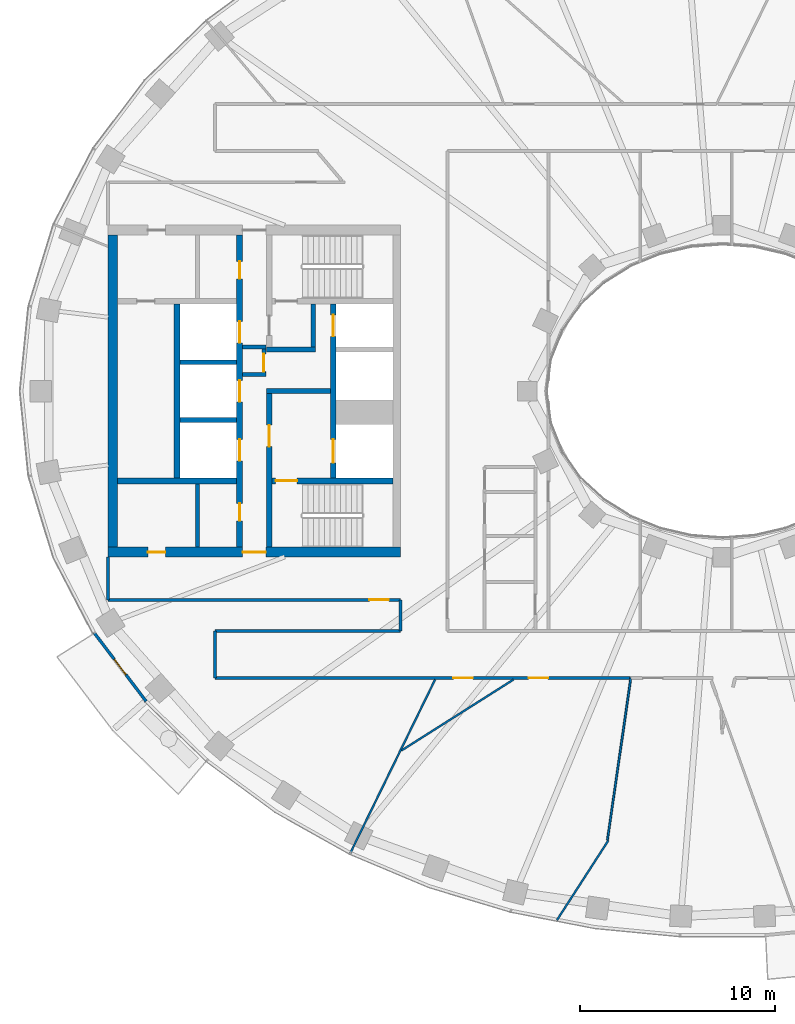
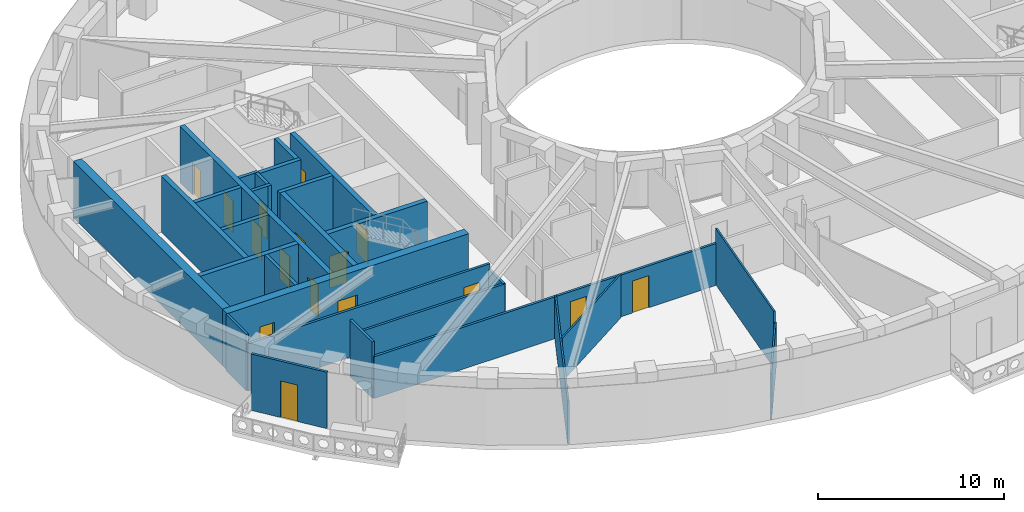
# One storey, part 3 of 16: 28 walls, 16 doors, 16 openings.
"""IFC4 building model written with IfcOpenShell, lengths in metres."""

from ifc_helpers import new_model, si_unit, direction, frame, frame_2d, origin, place, context, subcontext, project, spatial, rectangle, extrude, material, layer, layer_set, type_object, element, fill, save


model = new_model("IFC4")

# Units and contexts
model_context = context("Model", 3, precision=1e-05, world=origin(), true_north=direction((0.0, 1.0)))
body_context = subcontext(model_context, "Body", "Model", "MODEL_VIEW")
ifc_project = project(units=[si_unit("LENGTHUNIT", "METRE"), si_unit("AREAUNIT", "SQUARE_METRE"), si_unit("VOLUMEUNIT", "CUBIC_METRE"), si_unit("PLANEANGLEUNIT", "RADIAN"), si_unit("MASSUNIT", "GRAM", prefix="KILO")], contexts=[model_context])

# Site, building, storey
site_placement = place(None, origin())
site = spatial("IfcSite", under=ifc_project, at=site_placement, CompositionType="ELEMENT")
building_placement = place(site_placement, origin())
building = spatial("IfcBuilding", under=site, at=building_placement, Name="Noorbagh Ring Tower", CompositionType="ELEMENT")
storey_placement = place(building_placement, frame((0.0, 0.0, 245.5)))
storey = spatial("IfcBuildingStorey", under=building, at=storey_placement, Name="L51", CompositionType="ELEMENT", Elevation=245.5)

# Walls
ifc_material_1 = material(Name="Gypsum board on steel studs", Category="steel")
ifc_layer_1 = layer(ifc_material_1, 0.199951171875)
ifc_layer_set_1 = layer_set([ifc_layer_1], Name="Gypsum board on steel studs")
wall_type_1 = type_object("IfcWallType", Name="CORE-PARTITION-200", PredefinedType="PARTITIONING", material=ifc_layer_set_1)
for number, where, z_axis, x_axis, name in (
    (1, (-23.39990234375, 0.85009765625, 0.0), (0.0, 0.0, 1.0), (-1.0, 0.0, 0.0), "Core partition W"),
    (2, (-23.39990234375, 2.25, 0.0), (0.0, 0.0, 1.0), (-1.0, 0.0, 0.0), "Core partition W"),
):
    element("IfcWall", number, at=place(storey_placement, frame(where, z_axis=z_axis, x_axis=x_axis)), inside=storey, type_object=wall_type_1, Name=name, PredefinedType="PARTITIONING", context=body_context, shape_type="SweptSolid", body=[
        extrude(rectangle(XDim=1.2001953125, YDim=0.199951171875, at=frame_2d((0.60009765625, 0.0))), origin(), (0.0, 0.0, 1.0), 3.699951171875),
    ])

# Wall, opening, door
wall_1_placement = place(storey_placement, frame((-23.5, 0.75, 0.0), z_axis=(0.0, 0.0, 1.0), x_axis=(0.0, 1.0, 0.0)))
wall_1 = element("IfcWall", 3, at=wall_1_placement, inside=storey, type_object=wall_type_1, Name="Core partition W", PredefinedType="PARTITIONING", context=body_context, shape_type="SweptSolid", body=[
    extrude(rectangle(XDim=1.60009765625, YDim=0.199951171875, at=frame_2d((0.800048828125, 0.0))), origin(), (0.0, 0.0, 1.0), 3.699951171875),
])
opening_1_placement = place(wall_1_placement, frame((0.25, 0.0, 0.0)))
opening_1 = element("IfcOpeningElement", 4, at=opening_1_placement, cuts=wall_1, Name="Opening L51-CW16", PredefinedType="OPENING", context=body_context, shape_type="SweptSolid", body=[
    extrude(rectangle(XDim=0.89990234375, YDim=2.10009765625, at=frame_2d((0.449951171875, 1.050048828125))), frame((0.0, 0.10986328125, 0.0), z_axis=(0.0, -1.0, 0.0), x_axis=(1.0, 0.0, 0.0)), (0.0, 0.0, 1.0), 0.219970703125),
])
ifc_material_2 = material(Name="Steel door leaf", Category="steel")
door_type_1 = type_object("IfcDoorType", Name="CORE-DOOR-DROOM", OperationType="SINGLE_SWING_LEFT", PredefinedType="DOOR", material=ifc_material_2)
door_1_placement = place(opening_1_placement, origin())
door_1 = element("IfcDoor", 5, at=door_1_placement, inside=storey, type_object=door_type_1, Name="Core room door L51-CW16", OperationType="SINGLE_SWING_RIGHT", OverallHeight=2.10009765625, OverallWidth=0.89990234375, PredefinedType="DOOR", context=body_context, shape_type="SweptSolid", body=[
    extrude(rectangle(XDim=0.89990234375, YDim=2.10009765625, at=frame_2d((0.449951171875, 1.050048828125))), frame((0.0, 0.02490234375, 0.0), z_axis=(0.0, -1.0, 0.0), x_axis=(1.0, 0.0, 0.0)), (0.0, 0.0, 1.0), 0.050048828125),
])
fill(opening_1, door_1)

# Walls
wall_2_placement = place(storey_placement, frame((-26.89990234375, -8.0, 0.0), z_axis=(0.0, 0.0, 1.0), x_axis=(0.0, 1.0, 0.0)))
element("IfcWall", 6, at=wall_2_placement, inside=storey, type_object=wall_type_1, Name="Core partition W", PredefinedType="PARTITIONING", context=body_context, shape_type="SweptSolid", body=[
    extrude(rectangle(XDim=3.25, YDim=0.199951171875, at=frame_2d((1.625, 0.0))), origin(), (0.0, 0.0, 1.0), 3.699951171875),
])
ifc_material_3 = material(Name="Concrete C60/75", Category="concrete")
ifc_layer_2 = layer(ifc_material_3, 0.25)
ifc_layer_set_2 = layer_set([ifc_layer_2], Name="Concrete C60/75")
wall_type_2 = type_object("IfcWallType", Name="CORE-WALL-250-C60-75-EI120", PredefinedType="SHEAR", material=ifc_layer_set_2)
for number, where, z_axis, x_axis, name in (
    (7, (-24.89990234375, -1.47509765625, 0.0), (0.0, 0.0, 1.0), (-1.0, 0.0, 0.0), "Core wall W"),
    (8, (-24.89990234375, 1.47509765625, 0.0), (0.0, 0.0, 1.0), (-1.0, 0.0, 0.0), "Core wall W"),
):
    element("IfcWall", number, at=place(storey_placement, frame(where, z_axis=z_axis, x_axis=x_axis)), inside=storey, type_object=wall_type_2, Name=name, PredefinedType="SHEAR", context=body_context, shape_type="SweptSolid", body=[
        extrude(rectangle(XDim=2.900146484375, YDim=0.25, at=frame_2d((1.4501953125, 0.0))), origin(), (0.0, 0.0, 1.0), 3.699951171875),
    ])
ifc_material_4 = material(Name="Concrete C60/75", Category="concrete")
ifc_layer_3 = layer(ifc_material_4, 0.25)
ifc_layer_set_3 = layer_set([ifc_layer_3], Name="Concrete C60/75")
wall_type_3 = type_object("IfcWallType", Name="CORE-WALL-250-C60-75-EI240", PredefinedType="SHEAR", material=ifc_layer_set_3)
wall_3_placement = place(storey_placement, frame((-20.10009765625, 0.0, 0.0), z_axis=(0.0, 0.0, 1.0), x_axis=(-1.0, 0.0, 0.0)))
element("IfcWall", 9, at=wall_3_placement, inside=storey, type_object=wall_type_3, Name="Core wall W", PredefinedType="SHEAR", context=body_context, shape_type="SweptSolid", body=[
    extrude(rectangle(XDim=3.27978515625, YDim=0.25, at=frame_2d((1.639892578125, 0.0))), origin(), (0.0, 0.0, 1.0), 3.699951171875),
])
wall_4_placement = place(storey_placement, frame((-20.85009765625, 2.125, 0.0), z_axis=(0.0, 0.0, 1.0), x_axis=(-1.0, 0.0, 0.0)))
element("IfcWall", 10, at=wall_4_placement, inside=storey, type_object=wall_type_3, Name="Core wall W", PredefinedType="SHEAR", context=body_context, shape_type="SweptSolid", body=[
    extrude(rectangle(XDim=2.52978515625, YDim=0.25, at=frame_2d((1.264892578125, 0.0))), origin(), (0.0, 0.0, 1.0), 3.699951171875),
])
wall_5_placement = place(storey_placement, frame((-20.97509765625, 2.25, 0.0), z_axis=(0.0, 0.0, 1.0), x_axis=(0.0, 1.0, 0.0)))
element("IfcWall", 11, at=wall_5_placement, inside=storey, type_object=wall_type_3, Name="Core wall W", PredefinedType="SHEAR", context=body_context, shape_type="SweptSolid", body=[
    extrude(rectangle(XDim=2.199951171875, YDim=0.25, at=frame_2d((1.10009765625, 0.0))), origin(), (0.0, 0.0, 1.0), 3.699951171875),
])
ifc_material_5 = material(Name="Concrete C60/75", Category="concrete")
ifc_layer_4 = layer(ifc_material_5, 0.300048828125)
ifc_layer_set_4 = layer_set([ifc_layer_4], Name="Concrete C60/75")
wall_type_4 = type_object("IfcWallType", Name="CORE-WALL-300-C60-75-EI120", PredefinedType="SHEAR", material=ifc_layer_set_4)
wall_6_placement = place(storey_placement, frame((-27.949951171875, -4.449951171875, 0.0), z_axis=(0.0, 0.0, 1.0), x_axis=(0.0, 1.0, 0.0)))
element("IfcWall", 12, at=wall_6_placement, inside=storey, type_object=wall_type_4, Name="Core wall W", PredefinedType="SHEAR", context=body_context, shape_type="SweptSolid", body=[
    extrude(rectangle(XDim=8.89990234375, YDim=0.300048828125, at=frame_2d((4.449951171875, 0.0))), origin(), (0.0, 0.0, 1.0), 3.699951171875),
])

# Wall, openings, doors
wall_7_placement = place(storey_placement, frame((-19.949951171875, -4.449951171875, 0.0), z_axis=(0.0, 0.0, 1.0), x_axis=(0.0, 1.0, 0.0)))
wall_7 = element("IfcWall", 13, at=wall_7_placement, inside=storey, type_object=wall_type_4, Name="Core wall W", PredefinedType="SHEAR", context=body_context, shape_type="SweptSolid", body=[
    extrude(rectangle(XDim=8.89990234375, YDim=0.300048828125, at=frame_2d((4.449951171875, 0.0))), origin(), (0.0, 0.0, 1.0), 3.699951171875),
])
opening_2_placement = place(wall_7_placement, frame((0.77490234375, 0.0, 0.0)))
opening_2 = element("IfcOpeningElement", 14, at=opening_2_placement, cuts=wall_7, Name="Opening L51-CW01", PredefinedType="OPENING", context=body_context, shape_type="SweptSolid", body=[
    extrude(rectangle(XDim=1.199951171875, YDim=2.10009765625, at=frame_2d((0.60009765625, 1.050048828125))), frame((0.0, 0.16015625, 0.0), z_axis=(0.0, -1.0, 0.0), x_axis=(1.0, 0.0, 0.0)), (0.0, 0.0, 1.0), 0.320068359375),
])
opening_3_placement = place(wall_7_placement, frame((7.25, 0.0, 0.0)))
opening_3 = element("IfcOpeningElement", 15, at=opening_3_placement, cuts=wall_7, Name="Opening L51-CW02", PredefinedType="OPENING", context=body_context, shape_type="SweptSolid", body=[
    extrude(rectangle(XDim=1.10009765625, YDim=2.10009765625, at=frame_2d((0.550048828125, 1.050048828125))), frame((0.0, 0.16015625, 0.0), z_axis=(0.0, -1.0, 0.0), x_axis=(1.0, 0.0, 0.0)), (0.0, 0.0, 1.0), 0.320068359375),
])
ifc_material_6 = material(Name="Steel door leaf", Category="steel")
door_type_2 = type_object("IfcDoorType", Name="CORE-DOOR-LD", OperationType="DOUBLE_DOOR_SLIDING", PredefinedType="DOOR", material=ifc_material_6)
door_2_placement = place(opening_3_placement, origin())
door_2 = element("IfcDoor", 16, at=door_2_placement, inside=storey, type_object=door_type_2, Name="Landing door HR1 L51-CW02", OperationType="DOUBLE_DOOR_SLIDING", OverallHeight=2.10009765625, OverallWidth=1.10009765625, PredefinedType="DOOR", context=body_context, shape_type="SweptSolid", body=[
    extrude(rectangle(XDim=1.10009765625, YDim=2.10009765625, at=frame_2d((0.550048828125, 1.050048828125))), frame((0.0, 0.02490234375, 0.0), z_axis=(0.0, -1.0, 0.0), x_axis=(1.0, 0.0, 0.0)), (0.0, 0.0, 1.0), 0.050048828125),
])
fill(opening_3, door_2)
ifc_material_7 = material(Name="Steel door leaf", Category="steel")
door_type_3 = type_object("IfcDoorType", Name="CORE-DOOR-LDW", OperationType="DOUBLE_DOOR_SLIDING", PredefinedType="DOOR", material=ifc_material_7)
door_3_placement = place(opening_2_placement, origin())
door_3 = element("IfcDoor", 17, at=door_3_placement, inside=storey, type_object=door_type_3, Name="Landing door FF1 L51-CW01", OperationType="DOUBLE_DOOR_SLIDING", OverallHeight=2.10009765625, OverallWidth=1.199951171875, PredefinedType="DOOR", context=body_context, shape_type="SweptSolid", body=[
    extrude(rectangle(XDim=1.199951171875, YDim=2.10009765625, at=frame_2d((0.60009765625, 1.050048828125))), frame((0.0, 0.02490234375, 0.0), z_axis=(0.0, -1.0, 0.0), x_axis=(1.0, 0.0, 0.0)), (0.0, 0.0, 1.0), 0.050048828125),
])
fill(opening_2, door_3)

wall_8_placement = place(storey_placement, frame((-24.75, -8.0, 0.0), z_axis=(0.0, 0.0, 1.0), x_axis=(0.0, 1.0, 0.0)))
wall_8 = element("IfcWall", 18, at=wall_8_placement, inside=storey, type_object=wall_type_4, Name="Core wall W", PredefinedType="SHEAR", context=body_context, shape_type="SweptSolid", body=[
    extrude(rectangle(XDim=16.0, YDim=0.300048828125, at=frame_2d((8.0, 0.0))), origin(), (0.0, 0.0, 1.0), 3.699951171875),
])
opening_4_placement = place(wall_8_placement, frame((4.425048828125, 0.0, 0.0)))
opening_4 = element("IfcOpeningElement", 19, at=opening_4_placement, cuts=wall_8, Name="Opening L51-CW03", PredefinedType="OPENING", context=body_context, shape_type="SweptSolid", body=[
    extrude(rectangle(XDim=1.10009765625, YDim=2.10009765625, at=frame_2d((0.550048828125, 1.050048828125))), frame((0.0, 0.16015625, 0.0), z_axis=(0.0, -1.0, 0.0), x_axis=(1.0, 0.0, 0.0)), (0.0, 0.0, 1.0), 0.320068359375),
])
opening_5_placement = place(wall_8_placement, frame((7.449951171875, 0.0, 0.0)))
opening_5 = element("IfcOpeningElement", 20, at=opening_5_placement, cuts=wall_8, Name="Opening L51-CW04", PredefinedType="OPENING", context=body_context, shape_type="SweptSolid", body=[
    extrude(rectangle(XDim=1.10009765625, YDim=2.10009765625, at=frame_2d((0.550048828125, 1.050048828125))), frame((0.0, 0.16015625, 0.0), z_axis=(0.0, -1.0, 0.0), x_axis=(1.0, 0.0, 0.0)), (0.0, 0.0, 1.0), 0.320068359375),
])
opening_6_placement = place(wall_8_placement, frame((10.47509765625, 0.0, 0.0)))
opening_6 = element("IfcOpeningElement", 21, at=opening_6_placement, cuts=wall_8, Name="Opening L51-CW05", PredefinedType="OPENING", context=body_context, shape_type="SweptSolid", body=[
    extrude(rectangle(XDim=1.10009765625, YDim=2.10009765625, at=frame_2d((0.550048828125, 1.050048828125))), frame((0.0, 0.16015625, 0.0), z_axis=(0.0, -1.0, 0.0), x_axis=(1.0, 0.0, 0.0)), (0.0, 0.0, 1.0), 0.320068359375),
])
opening_7_placement = place(wall_8_placement, frame((13.75, 0.0, 0.0)))
opening_7 = element("IfcOpeningElement", 22, at=opening_7_placement, cuts=wall_8, Name="Opening L51-CW12", PredefinedType="OPENING", context=body_context, shape_type="SweptSolid", body=[
    extrude(rectangle(XDim=0.89990234375, YDim=2.10009765625, at=frame_2d((0.449951171875, 1.050048828125))), frame((0.0, 0.16015625, 0.0), z_axis=(0.0, -1.0, 0.0), x_axis=(1.0, 0.0, 0.0)), (0.0, 0.0, 1.0), 0.320068359375),
])
opening_8_placement = place(wall_8_placement, frame((1.35009765625, 0.0, 0.0)))
opening_8 = element("IfcOpeningElement", 23, at=opening_8_placement, cuts=wall_8, Name="Opening L51-CW14", PredefinedType="OPENING", context=body_context, shape_type="SweptSolid", body=[
    extrude(rectangle(XDim=0.89990234375, YDim=2.10009765625, at=frame_2d((0.449951171875, 1.050048828125))), frame((0.0, 0.16015625, 0.0), z_axis=(0.0, -1.0, 0.0), x_axis=(1.0, 0.0, 0.0)), (0.0, 0.0, 1.0), 0.320068359375),
])
door_4_placement = place(opening_7_placement, origin())
door_4 = element("IfcDoor", 24, at=door_4_placement, inside=storey, type_object=door_type_1, Name="Core room door L51-CW12", OperationType="SINGLE_SWING_RIGHT", OverallHeight=2.10009765625, OverallWidth=0.89990234375, PredefinedType="DOOR", context=body_context, shape_type="SweptSolid", body=[
    extrude(rectangle(XDim=0.89990234375, YDim=2.10009765625, at=frame_2d((0.449951171875, 1.050048828125))), frame((0.0, 0.02490234375, 0.0), z_axis=(0.0, -1.0, 0.0), x_axis=(1.0, 0.0, 0.0)), (0.0, 0.0, 1.0), 0.050048828125),
])
fill(opening_7, door_4)
door_5_placement = place(opening_8_placement, origin())
door_5 = element("IfcDoor", 25, at=door_5_placement, inside=storey, type_object=door_type_1, Name="Core room door L51-CW14", OperationType="SINGLE_SWING_LEFT", OverallHeight=2.10009765625, OverallWidth=0.89990234375, PredefinedType="DOOR", context=body_context, shape_type="SweptSolid", body=[
    extrude(rectangle(XDim=0.89990234375, YDim=2.10009765625, at=frame_2d((0.449951171875, 1.050048828125))), frame((0.0, 0.02490234375, 0.0), z_axis=(0.0, -1.0, 0.0), x_axis=(1.0, 0.0, 0.0)), (0.0, 0.0, 1.0), 0.050048828125),
])
fill(opening_8, door_5)
door_6_placement = place(opening_4_placement, origin())
door_6 = element("IfcDoor", 26, at=door_6_placement, inside=storey, type_object=door_type_2, Name="Landing door HR2 L51-CW03", OperationType="DOUBLE_DOOR_SLIDING", OverallHeight=2.10009765625, OverallWidth=1.10009765625, PredefinedType="DOOR", context=body_context, shape_type="SweptSolid", body=[
    extrude(rectangle(XDim=1.10009765625, YDim=2.10009765625, at=frame_2d((0.550048828125, 1.050048828125))), frame((0.0, 0.02490234375, 0.0), z_axis=(0.0, -1.0, 0.0), x_axis=(1.0, 0.0, 0.0)), (0.0, 0.0, 1.0), 0.050048828125),
])
fill(opening_4, door_6)
door_7_placement = place(opening_5_placement, origin())
door_7 = element("IfcDoor", 27, at=door_7_placement, inside=storey, type_object=door_type_2, Name="Landing door HR3 L51-CW04", OperationType="DOUBLE_DOOR_SLIDING", OverallHeight=2.10009765625, OverallWidth=1.10009765625, PredefinedType="DOOR", context=body_context, shape_type="SweptSolid", body=[
    extrude(rectangle(XDim=1.10009765625, YDim=2.10009765625, at=frame_2d((0.550048828125, 1.050048828125))), frame((0.0, 0.02490234375, 0.0), z_axis=(0.0, -1.0, 0.0), x_axis=(1.0, 0.0, 0.0)), (0.0, 0.0, 1.0), 0.050048828125),
])
fill(opening_5, door_7)
door_8_placement = place(opening_6_placement, origin())
door_8 = element("IfcDoor", 28, at=door_8_placement, inside=storey, type_object=door_type_2, Name="Landing door HR4 L51-CW05", OperationType="DOUBLE_DOOR_SLIDING", OverallHeight=2.10009765625, OverallWidth=1.10009765625, PredefinedType="DOOR", context=body_context, shape_type="SweptSolid", body=[
    extrude(rectangle(XDim=1.10009765625, YDim=2.10009765625, at=frame_2d((0.550048828125, 1.050048828125))), frame((0.0, 0.02490234375, 0.0), z_axis=(0.0, -1.0, 0.0), x_axis=(1.0, 0.0, 0.0)), (0.0, 0.0, 1.0), 0.050048828125),
])
fill(opening_6, door_8)

# Wall
ifc_material_8 = material(Name="Concrete C60/75", Category="concrete")
ifc_layer_5 = layer(ifc_material_8, 0.300048828125)
ifc_layer_set_5 = layer_set([ifc_layer_5], Name="Concrete C60/75")
wall_type_5 = type_object("IfcWallType", Name="CORE-WALL-300-C60-75-EI240", PredefinedType="SHEAR", material=ifc_layer_set_5)
wall_9_placement = place(storey_placement, frame((-24.89990234375, -4.60009765625, 0.0), z_axis=(0.0, 0.0, 1.0), x_axis=(-1.0, 0.0, 0.0)))
element("IfcWall", 29, at=wall_9_placement, inside=storey, type_object=wall_type_5, Name="Core wall W", PredefinedType="SHEAR", context=body_context, shape_type="SweptSolid", body=[
    extrude(rectangle(XDim=6.10009765625, YDim=0.300048828125, at=frame_2d((3.050048828125, 0.0))), origin(), (0.0, 0.0, 1.0), 3.699951171875),
])

# Wall, opening, door
wall_10_placement = place(storey_placement, frame((-23.22998046875, -8.0, 0.0), z_axis=(0.0, 0.0, 1.0), x_axis=(0.0, 1.0, 0.0)))
wall_10 = element("IfcWall", 30, at=wall_10_placement, inside=storey, type_object=wall_type_5, Name="Core wall W", PredefinedType="SHEAR", context=body_context, shape_type="SweptSolid", body=[
    extrude(rectangle(XDim=7.875, YDim=0.300048828125, at=frame_2d((3.9375, 0.0))), origin(), (0.0, 0.0, 1.0), 3.699951171875),
])
opening_9_placement = place(wall_10_placement, frame((5.14990234375, 0.0, 0.0)))
opening_9 = element("IfcOpeningElement", 31, at=opening_9_placement, cuts=wall_10, Name="Opening L51-CW08", PredefinedType="OPENING", context=body_context, shape_type="SweptSolid", body=[
    extrude(rectangle(XDim=1.10009765625, YDim=2.10009765625, at=frame_2d((0.550048828125, 1.050048828125))), frame((0.0, 0.16015625, 0.0), z_axis=(0.0, -1.0, 0.0), x_axis=(1.0, 0.0, 0.0)), (0.0, 0.0, 1.0), 0.320068359375),
])
ifc_material_9 = material(Name="Steel door leaf", Category="steel")
door_type_4 = type_object("IfcDoorType", Name="CORE-DOOR-DFF", OperationType="SINGLE_SWING_LEFT", PredefinedType="DOOR", material=ifc_material_9)
door_9_placement = place(opening_9_placement, origin())
door_9 = element("IfcDoor", 32, at=door_9_placement, inside=storey, type_object=door_type_4, Name="Firefighting lobby door L51-CW08", OperationType="SINGLE_SWING_LEFT", OverallHeight=2.10009765625, OverallWidth=1.10009765625, PredefinedType="DOOR", context=body_context, shape_type="SweptSolid", body=[
    extrude(rectangle(XDim=1.10009765625, YDim=2.10009765625, at=frame_2d((0.550048828125, 1.050048828125))), frame((0.0, 0.02490234375, 0.0), z_axis=(0.0, -1.0, 0.0), x_axis=(1.0, 0.0, 0.0)), (0.0, 0.0, 1.0), 0.050048828125),
])
fill(opening_9, door_9)

wall_11_placement = place(storey_placement, frame((-16.89990234375, -4.60009765625, 0.0), z_axis=(0.0, 0.0, 1.0), x_axis=(-1.0, 0.0, 0.0)))
wall_11 = element("IfcWall", 33, at=wall_11_placement, inside=storey, type_object=wall_type_5, Name="Core wall W", PredefinedType="SHEAR", context=body_context, shape_type="SweptSolid", body=[
    extrude(rectangle(XDim=6.18017578125, YDim=0.300048828125, at=frame_2d((3.090087890625, 0.0))), origin(), (0.0, 0.0, 1.0), 3.699951171875),
])
opening_10_placement = place(wall_11_placement, frame((4.89990234375, 0.0, 0.0)))
opening_10 = element("IfcOpeningElement", 34, at=opening_10_placement, cuts=wall_11, Name="Opening L51-CW07", PredefinedType="OPENING", context=body_context, shape_type="SweptSolid", body=[
    extrude(rectangle(XDim=1.10009765625, YDim=2.10009765625, at=frame_2d((0.550048828125, 1.050048828125))), frame((0.0, 0.16015625, 0.0), z_axis=(0.0, -1.0, 0.0), x_axis=(1.0, 0.0, 0.0)), (0.0, 0.0, 1.0), 0.320068359375),
])
ifc_material_10 = material(Name="Steel door leaf", Category="steel")
door_type_5 = type_object("IfcDoorType", Name="CORE-DOOR-DSTAIR", OperationType="SINGLE_SWING_LEFT", PredefinedType="DOOR", material=ifc_material_10)
door_10_placement = place(opening_10_placement, origin())
door_10 = element("IfcDoor", 35, at=door_10_placement, inside=storey, type_object=door_type_5, Name="Stair door ST2 L51-CW07", OperationType="SINGLE_SWING_LEFT", OverallHeight=2.10009765625, OverallWidth=1.10009765625, PredefinedType="DOOR", context=body_context, shape_type="SweptSolid", body=[
    extrude(rectangle(XDim=1.10009765625, YDim=2.10009765625, at=frame_2d((0.550048828125, 1.050048828125))), frame((0.0, 0.02490234375, 0.0), z_axis=(0.0, -1.0, 0.0), x_axis=(1.0, 0.0, 0.0)), (0.0, 0.0, 1.0), 0.050048828125),
])
fill(opening_10, door_10)

# Wall, openings, doors
ifc_material_11 = material(Name="Concrete C60/75", Category="concrete")
ifc_layer_6 = layer(ifc_material_11, 0.5)
ifc_layer_set_6 = layer_set([ifc_layer_6], Name="Concrete C60/75")
wall_type_6 = type_object("IfcWallType", Name="CORE-WALL-500-C60-75-EI240", PredefinedType="SHEAR", material=ifc_layer_set_6)
wall_12_placement = place(storey_placement, frame((-16.5, -8.25, 0.0), z_axis=(0.0, 0.0, 1.0), x_axis=(-1.0, 0.0, 0.0)))
wall_12 = element("IfcWall", 36, at=wall_12_placement, inside=storey, type_object=wall_type_6, Name="Core wall W", PredefinedType="SHEAR", context=body_context, shape_type="SweptSolid", body=[
    extrude(rectangle(XDim=15.0, YDim=0.5, at=frame_2d((7.5, 0.0))), origin(), (0.0, 0.0, 1.0), 3.699951171875),
])
opening_11_placement = place(wall_12_placement, frame((6.89990234375, 0.0, 0.0)))
opening_11 = element("IfcOpeningElement", 37, at=opening_11_placement, cuts=wall_12, Name="Opening L51-CW11", PredefinedType="OPENING", context=body_context, shape_type="SweptSolid", body=[
    extrude(rectangle(XDim=1.199951171875, YDim=2.10009765625, at=frame_2d((0.60009765625, 1.050048828125))), frame((0.0, 0.260009765625, 0.0), z_axis=(0.0, -1.0, 0.0), x_axis=(1.0, 0.0, 0.0)), (0.0, 0.0, 1.0), 0.52001953125),
])
opening_12_placement = place(wall_12_placement, frame((12.050048828125, 0.0, 0.0)))
opening_12 = element("IfcOpeningElement", 38, at=opening_12_placement, cuts=wall_12, Name="Opening L51-CW15", PredefinedType="OPENING", context=body_context, shape_type="SweptSolid", body=[
    extrude(rectangle(XDim=0.89990234375, YDim=2.10009765625, at=frame_2d((0.449951171875, 1.050048828125))), frame((0.0, 0.260009765625, 0.0), z_axis=(0.0, -1.0, 0.0), x_axis=(1.0, 0.0, 0.0)), (0.0, 0.0, 1.0), 0.52001953125),
])
door_11_placement = place(opening_12_placement, origin())
door_11 = element("IfcDoor", 39, at=door_11_placement, inside=storey, type_object=door_type_1, Name="Core room door L51-CW15", OperationType="SINGLE_SWING_LEFT", OverallHeight=2.10009765625, OverallWidth=0.89990234375, PredefinedType="DOOR", context=body_context, shape_type="SweptSolid", body=[
    extrude(rectangle(XDim=0.89990234375, YDim=2.10009765625, at=frame_2d((0.449951171875, 1.050048828125))), frame((0.0, 0.02490234375, 0.0), z_axis=(0.0, -1.0, 0.0), x_axis=(1.0, 0.0, 0.0)), (0.0, 0.0, 1.0), 0.050048828125),
])
fill(opening_12, door_11)
ifc_material_12 = material(Name="Steel door leaf", Category="steel")
door_type_6 = type_object("IfcDoorType", Name="CORE-DOOR-PORT", OperationType="DOUBLE_DOOR_DOUBLE_SWING", PredefinedType="DOOR", material=ifc_material_12)
door_12_placement = place(opening_11_placement, origin())
door_12 = element("IfcDoor", 40, at=door_12_placement, inside=storey, type_object=door_type_6, Name="Core entrance door L51-CW11", OperationType="DOUBLE_DOOR_DOUBLE_SWING", OverallHeight=2.10009765625, OverallWidth=1.199951171875, PredefinedType="DOOR", context=body_context, shape_type="SweptSolid", body=[
    extrude(rectangle(XDim=1.199951171875, YDim=2.10009765625, at=frame_2d((0.60009765625, 1.050048828125))), frame((0.0, 0.02490234375, 0.0), z_axis=(0.0, -1.0, 0.0), x_axis=(1.0, 0.0, 0.0)), (0.0, 0.0, 1.0), 0.050048828125),
])
fill(opening_11, door_12)

# Walls
wall_13_placement = place(storey_placement, frame((-31.25, -8.0, 0.0), z_axis=(0.0, 0.0, 1.0), x_axis=(0.0, 1.0, 0.0)))
element("IfcWall", 41, at=wall_13_placement, inside=storey, type_object=wall_type_6, Name="Core wall W", PredefinedType="SHEAR", context=body_context, shape_type="SweptSolid", body=[
    extrude(rectangle(XDim=16.0, YDim=0.5, at=frame_2d((8.0, 0.0))), origin(), (0.0, 0.0, 1.0), 3.699951171875),
])
ifc_material_13 = material(Name="Gypsum board on steel studs", Category="steel")
ifc_layer_7 = layer(ifc_material_13, 0.14990234375)
ifc_layer_set_7 = layer_set([ifc_layer_7], Name="Gypsum board on steel studs")
wall_type_7 = type_object("IfcWallType", Name="CORRIDOR PARTITION 150 EI 30", PredefinedType="PARTITIONING", material=ifc_layer_set_7)
wall_14_placement = place(storey_placement, frame((-31.5, -10.699951171875, 0.0), z_axis=(0.0, 0.0, 1.0), x_axis=(0.0, 1.0, 0.0)))
element("IfcWall", 42, at=wall_14_placement, inside=storey, type_object=wall_type_7, Name="L51/wall/P02", PredefinedType="PARTITIONING", context=body_context, shape_type="SweptSolid", body=[
    extrude(rectangle(XDim=2.199951171875, YDim=0.14990234375, at=frame_2d((1.10009765625, 0.0))), origin(), (0.0, 0.0, 1.0), 3.699951171875),
])

# Wall, opening, door
wall_15_placement = place(storey_placement, frame((-31.5, -10.699951171875, 0.0), z_axis=(0.0, 0.0, 1.0), x_axis=(1.0, 0.0, 0.0)))
wall_15 = element("IfcWall", 43, at=wall_15_placement, inside=storey, type_object=wall_type_7, Name="L51/wall/P03", PredefinedType="PARTITIONING", context=body_context, shape_type="SweptSolid", body=[
    extrude(rectangle(XDim=15.0, YDim=0.14990234375, at=frame_2d((7.5, 0.0))), origin(), (0.0, 0.0, 1.0), 3.10009765625),
])
opening_13_placement = place(wall_15_placement, frame((13.39990234375, 0.0, 0.0)))
opening_13 = element("IfcOpeningElement", 44, at=opening_13_placement, cuts=wall_15, Name="Opening D1", PredefinedType="OPENING", context=body_context, shape_type="SweptSolid", body=[
    extrude(rectangle(XDim=1.0, YDim=2.10009765625, at=frame_2d((0.5, 1.050048828125))), frame((0.0, 0.0849609375, 0.0), z_axis=(0.0, -1.0, 0.0), x_axis=(1.0, 0.0, 0.0)), (0.0, 0.0, 1.0), 0.169921875),
])
ifc_material_14 = material(Name="Timber, painted", Category="wood")
door_type_7 = type_object("IfcDoorType", Name="DOOR 1000 X 2100 FD30", OperationType="SINGLE_SWING_LEFT", PredefinedType="DOOR", material=ifc_material_14)
door_13_placement = place(opening_13_placement, origin())
door_13 = element("IfcDoor", 45, at=door_13_placement, inside=storey, type_object=door_type_7, Name="L51-D06", OperationType="SINGLE_SWING_RIGHT", OverallHeight=2.10009765625, OverallWidth=1.0, PredefinedType="DOOR", context=body_context, shape_type="SweptSolid", body=[
    extrude(rectangle(XDim=1.0, YDim=2.10009765625, at=frame_2d((0.5, 1.050048828125))), frame((0.0, 0.02490234375, 0.0), z_axis=(0.0, -1.0, 0.0), x_axis=(1.0, 0.0, 0.0)), (0.0, 0.0, 1.0), 0.050048828125),
])
fill(opening_13, door_13)

# Wall
wall_16_placement = place(storey_placement, frame((-26.0, -14.699951171875, 0.0), z_axis=(0.0, 0.0, 1.0), x_axis=(0.0, 1.0, 0.0)))
element("IfcWall", 46, at=wall_16_placement, inside=storey, type_object=wall_type_7, Name="L51/wall/P07", PredefinedType="PARTITIONING", context=body_context, shape_type="SweptSolid", body=[
    extrude(rectangle(XDim=2.39990234375, YDim=0.14990234375, at=frame_2d((1.199951171875, 0.0))), origin(), (0.0, 0.0, 1.0), 3.699951171875),
])

# Wall, openings, doors
wall_17_placement = place(storey_placement, frame((-26.0, -14.699951171875, 0.0), z_axis=(0.0, 0.0, 1.0), x_axis=(1.0, 0.0, 0.0)))
wall_17 = element("IfcWall", 47, at=wall_17_placement, inside=storey, type_object=wall_type_7, Name="L51/wall/P08", PredefinedType="PARTITIONING", context=body_context, shape_type="SweptSolid", body=[
    extrude(rectangle(XDim=21.27490234375, YDim=0.14990234375, at=frame_2d((10.637451171875, 0.0))), origin(), (0.0, 0.0, 1.0), 2.75),
])
opening_14_placement = place(wall_17_placement, frame((16.053955078125, 0.0, 0.0)))
opening_14 = element("IfcOpeningElement", 48, at=opening_14_placement, cuts=wall_17, Name="Opening D1", PredefinedType="OPENING", context=body_context, shape_type="SweptSolid", body=[
    extrude(rectangle(XDim=1.0, YDim=2.10009765625, at=frame_2d((0.5, 1.050048828125))), frame((0.0, 0.0849609375, 0.0), z_axis=(0.0, -1.0, 0.0), x_axis=(1.0, 0.0, 0.0)), (0.0, 0.0, 1.0), 0.169921875),
])
opening_15_placement = place(wall_17_placement, frame((12.197998046875, 0.0, 0.0)))
opening_15 = element("IfcOpeningElement", 49, at=opening_15_placement, cuts=wall_17, Name="Opening D1", PredefinedType="OPENING", context=body_context, shape_type="SweptSolid", body=[
    extrude(rectangle(XDim=1.0, YDim=2.10009765625, at=frame_2d((0.5, 1.050048828125))), frame((0.0, 0.0849609375, 0.0), z_axis=(0.0, -1.0, 0.0), x_axis=(1.0, 0.0, 0.0)), (0.0, 0.0, 1.0), 0.169921875),
])
door_14_placement = place(opening_14_placement, origin())
door_14 = element("IfcDoor", 50, at=door_14_placement, inside=storey, type_object=door_type_7, Name="L51-D09", OperationType="SINGLE_SWING_LEFT", OverallHeight=2.10009765625, OverallWidth=1.0, PredefinedType="DOOR", context=body_context, shape_type="SweptSolid", body=[
    extrude(rectangle(XDim=1.0, YDim=2.10009765625, at=frame_2d((0.5, 1.050048828125))), frame((0.0, 0.02490234375, 0.0), z_axis=(0.0, -1.0, 0.0), x_axis=(1.0, 0.0, 0.0)), (0.0, 0.0, 1.0), 0.050048828125),
])
fill(opening_14, door_14)
door_15_placement = place(opening_15_placement, origin())
door_15 = element("IfcDoor", 51, at=door_15_placement, inside=storey, type_object=door_type_7, Name="L51-D10", OperationType="SINGLE_SWING_LEFT", OverallHeight=2.10009765625, OverallWidth=1.0, PredefinedType="DOOR", context=body_context, shape_type="SweptSolid", body=[
    extrude(rectangle(XDim=1.0, YDim=2.10009765625, at=frame_2d((0.5, 1.050048828125))), frame((0.0, 0.02490234375, 0.0), z_axis=(0.0, -1.0, 0.0), x_axis=(1.0, 0.0, 0.0)), (0.0, 0.0, 1.0), 0.050048828125),
])
fill(opening_15, door_15)

# Walls
wall_18_placement = place(storey_placement, frame((-26.0, -12.300048828125, 0.0), z_axis=(0.0, 0.0, 1.0), x_axis=(1.0, 0.0, 0.0)))
element("IfcWall", 52, at=wall_18_placement, inside=storey, type_object=wall_type_7, Name="L51/wall/P09", PredefinedType="PARTITIONING", context=body_context, shape_type="SweptSolid", body=[
    extrude(rectangle(XDim=9.5, YDim=0.14990234375, at=frame_2d((4.75, 0.0))), origin(), (0.0, 0.0, 1.0), 2.75),
])
wall_19_placement = place(storey_placement, frame((-16.5, -12.300048828125, 0.0), z_axis=(0.0, 0.0, 1.0), x_axis=(0.0, 1.0, 0.0)))
element("IfcWall", 53, at=wall_19_placement, inside=storey, type_object=wall_type_7, Name="L51/wall/P16", PredefinedType="PARTITIONING", context=body_context, shape_type="SweptSolid", body=[
    extrude(rectangle(XDim=1.60009765625, YDim=0.14990234375, at=frame_2d((0.800048828125, 0.0))), origin(), (0.0, 0.0, 1.0), 2.75),
])

# Wall, opening, door
ifc_material_15 = material(Name="Insulated aluminium clad panel", Category="aluminium")
ifc_layer_8 = layer(ifc_material_15, 0.14990234375)
ifc_layer_set_8 = layer_set([ifc_layer_8], Name="Insulated aluminium clad panel")
wall_type_8 = type_object("IfcWallType", Name="ENV-WALL-DOOR", PredefinedType="STANDARD", material=ifc_layer_set_8)
wall_20_placement = place(storey_placement, frame((-32.20751953125, -12.37353515625, 0.0), z_axis=(0.0, 0.0, 1.0), x_axis=(0.604045763106, -0.796949632081, 0.0)))
wall_20 = element("IfcWall", 54, at=wall_20_placement, inside=storey, type_object=wall_type_8, Name="Balcony door wall chord 27", PredefinedType="STANDARD", context=body_context, shape_type="SweptSolid", body=[
    extrude(rectangle(XDim=4.42333984375, YDim=0.14990234375, at=frame_2d((2.211669921875, 0.0))), origin(), (0.0, 0.0, 1.0), 3.699951171875),
])
opening_16_placement = place(wall_20_placement, frame((1.711669921875, 0.0, 0.0)))
opening_16 = element("IfcOpeningElement", 55, at=opening_16_placement, cuts=wall_20, Name="Opening D-BL", PredefinedType="OPENING", context=body_context, shape_type="SweptSolid", body=[
    extrude(rectangle(XDim=1.0, YDim=2.39990234375, at=frame_2d((0.5, 1.199951171875))), frame((0.0, 0.0849609375, 0.0), z_axis=(0.0, -1.0, 0.0), x_axis=(1.0, 0.0, 0.0)), (0.0, 0.0, 1.0), 0.169921875),
])
ifc_material_16 = material(Name="Aluminium and glass", Category="aluminium")
door_type_8 = type_object("IfcDoorType", Name="ENV-DOOR-BALCONY", OperationType="SINGLE_SWING_LEFT", PredefinedType="DOOR", material=ifc_material_16)
door_16_placement = place(opening_16_placement, origin())
door_16 = element("IfcDoor", 56, at=door_16_placement, inside=storey, type_object=door_type_8, Name="Balcony door chord 27", OperationType="SINGLE_SWING_RIGHT", OverallHeight=2.39990234375, OverallWidth=1.0, PredefinedType="DOOR", context=body_context, shape_type="SweptSolid", body=[
    extrude(rectangle(XDim=1.0, YDim=2.39990234375, at=frame_2d((0.5, 1.199951171875))), frame((0.0, 0.02490234375, 0.0), z_axis=(0.0, -1.0, 0.0), x_axis=(1.0, 0.0, 0.0)), (0.0, 0.0, 1.0), 0.050048828125),
])
fill(opening_16, door_16)

# Walls
ifc_material_17 = material(Name="Gypsum board on steel studs", Category="steel")
ifc_layer_9 = layer(ifc_material_17, 0.10009765625)
ifc_layer_set_9 = layer_set([ifc_layer_9], Name="Gypsum board on steel studs")
wall_type_9 = type_object("IfcWallType", Name="PARTITION 100 GYPSUM", PredefinedType="PARTITIONING", material=ifc_layer_set_9)
wall_21_placement = place(storey_placement, frame((-19.0859375, -23.68505859375, 0.0), z_axis=(0.0, 0.0, 1.0), x_axis=(0.439200418971, 0.898389109448, 0.0)))
element("IfcWall", 57, at=wall_21_placement, inside=storey, type_object=wall_type_9, Name="L51/wall/P14", PredefinedType="PARTITIONING", context=body_context, shape_type="SweptSolid", body=[
    extrude(rectangle(XDim=9.91796875, YDim=0.10009765625, at=frame_2d((4.958984375, 0.0))), origin(), (0.0, 0.0, 1.0), 2.85009765625),
])
wall_22_placement = place(storey_placement, frame((-16.451904296875, -18.412109375, 0.0), z_axis=(0.0, 0.0, 1.0), x_axis=(0.84484019065, 0.535018740104, 0.0)))
element("IfcWall", 58, at=wall_22_placement, inside=storey, type_object=wall_type_9, Name="L51/wall/P15", PredefinedType="PARTITIONING", context=body_context, shape_type="SweptSolid", body=[
    extrude(rectangle(XDim=6.794189453125, YDim=0.10009765625, at=frame_2d((3.39697265625, 0.0))), origin(), (0.0, 0.0, 1.0), 2.85009765625),
])
wall_23_placement = place(storey_placement, frame((-8.490966796875, -27.10400390625, 0.0), z_axis=(0.0, 0.0, 1.0), x_axis=(0.542285995048, 0.840193965448, 0.0)))
element("IfcWall", 59, at=wall_23_placement, inside=storey, type_object=wall_type_9, Name="L51/wall/P33", PredefinedType="PARTITIONING", context=body_context, shape_type="SweptSolid", body=[
    extrude(rectangle(XDim=4.857177734375, YDim=0.10009765625, at=frame_2d((2.4287109375, 0.0))), origin(), (0.0, 0.0, 1.0), 3.0),
])
wall_24_placement = place(storey_placement, frame((-5.905029296875, -23.0048828125, 0.0), z_axis=(0.0, 0.0, 1.0), x_axis=(0.142957594351, 0.989728814483, 0.0)))
element("IfcWall", 60, at=wall_24_placement, inside=storey, type_object=wall_type_9, Name="L51/wall/P34", PredefinedType="PARTITIONING", context=body_context, shape_type="SweptSolid", body=[
    extrude(rectangle(XDim=8.386962890625, YDim=0.10009765625, at=frame_2d((4.193359375, 0.0))), origin(), (0.0, 0.0, 1.0), 3.699951171875),
])

save(model, "model.ifc")
